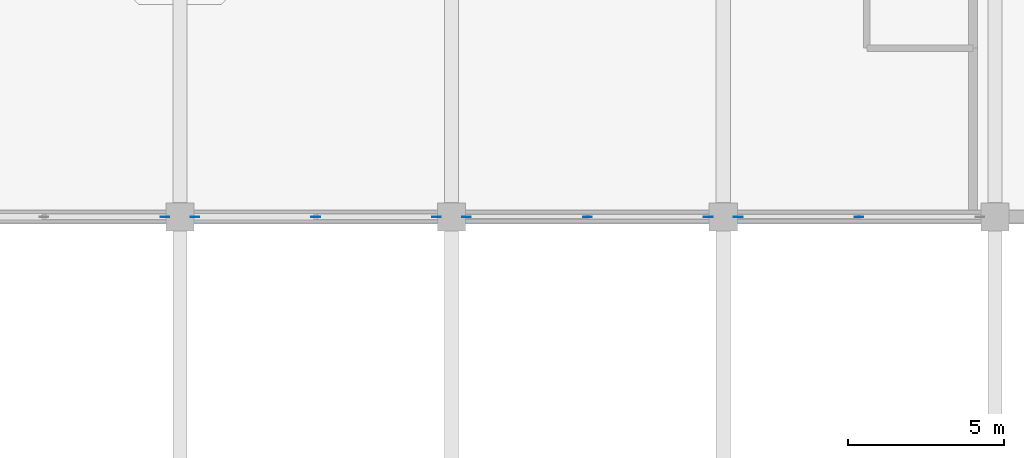
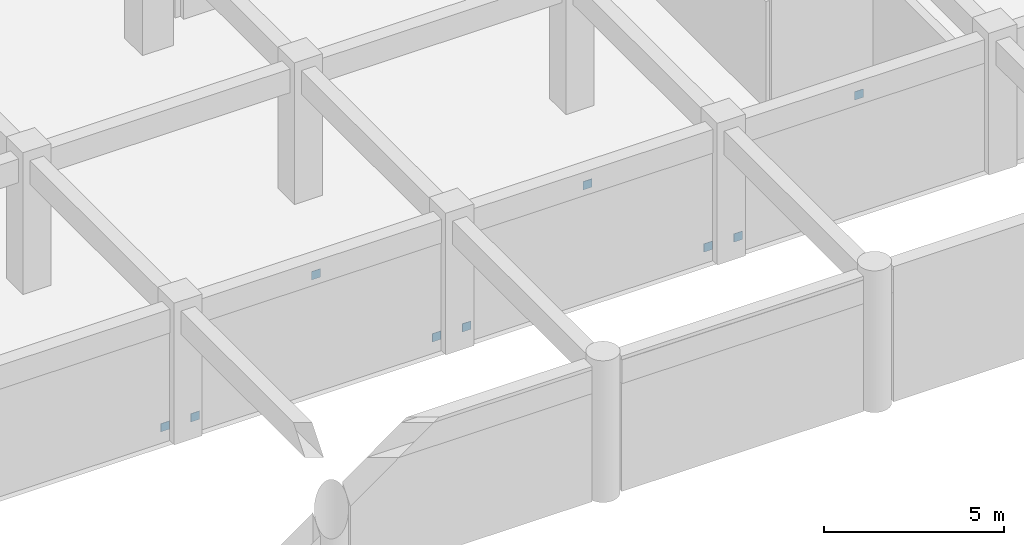
# One storey, part 8 of 19: 9 plates.
"""IFC4 building model written with IfcOpenShell, lengths in metres."""

from ifc_helpers import new_model, si_unit, derived_unit, direction, frame, origin, origin_2d, place, context, subcontext, project, spatial, rectangle, extrude, material, layer, layer_set, type_object, element, save


model = new_model("IFC4")

# Units and contexts
model_context = context("Model", 3, precision=1e-05, world=origin(), true_north=direction((0.0, 1.0)))
body_context = subcontext(model_context, "Body", "Model", "MODEL_VIEW")
ifc_project = project(units=[si_unit("LENGTHUNIT", "METRE"), si_unit("AREAUNIT", "SQUARE_METRE"), si_unit("VOLUMEUNIT", "CUBIC_METRE"), si_unit("PLANEANGLEUNIT", "RADIAN"), si_unit("MASSUNIT", "GRAM", prefix="KILO"), derived_unit("THERMALTRANSMITTANCEUNIT", [(si_unit("MASSUNIT", "GRAM", prefix="KILO"), 1), (si_unit("TIMEUNIT", "SECOND"), -3), (si_unit("THERMODYNAMICTEMPERATUREUNIT", "KELVIN"), -1)])], contexts=[model_context])

# Site, building, storey
site_placement = place(None, origin())
site = spatial("IfcSite", under=ifc_project, at=site_placement, CompositionType="ELEMENT")
building_placement = place(site_placement, origin())
building = spatial("IfcBuilding", under=site, at=building_placement, Name="Qinzheling Arcade Emporium", CompositionType="ELEMENT")
storey_placement = place(building_placement, frame((0.0, 0.0, -4.800048828125)))
storey = spatial("IfcBuildingStorey", under=building, at=storey_placement, Name="B1", CompositionType="ELEMENT", Elevation=-4.800048828125)

# Plates
ifc_material = material(Name="Structural steel Q355B", Category="steel")
ifc_layer = layer(ifc_material, 0.01611328125, Name="Structural steel Q355B", Category="steel")
ifc_layer_set = layer_set([ifc_layer], Name="Structural steel Q355B")
plate_type = type_object("IfcPlateType", Name="Structural Steel Brace Gusset Plate 16mm Q355B", PredefinedType="SHEET", material=ifc_layer_set)
for number, where, z_axis, x_axis, name in (
    (1, (34.320068359375, 8.39990234375, 0.22998046875), (0.0, 0.0, 1.0), (1.0, 0.0, 0.0), "Brace Gusset Plate PLT-GP-B1-020"),
    (2, (35.280029296875, 8.39990234375, 0.22998046875), (0.0, 0.0, 1.0), (1.0, 0.0, 0.0), "Brace Gusset Plate PLT-GP-B1-022"),
    (3, (43.02001953125, 8.39990234375, 0.22998046875), (0.0, 0.0, 1.0), (1.0, 0.0, 0.0), "Brace Gusset Plate PLT-GP-B1-023"),
    (4, (39.14990234375, 8.39990234375, 3.68994140625), (0.0, 0.0, 1.0), (1.0, 0.0, 0.0), "Brace Gusset Plate PLT-GP-B1-024"),
    (5, (43.97998046875, 8.39990234375, 0.22998046875), (0.0, 0.0, 1.0), (1.0, 0.0, 0.0), "Brace Gusset Plate PLT-GP-B1-028"),
    (6, (51.719970703125, 8.39990234375, 0.22998046875), (0.0, 0.0, 1.0), (1.0, 0.0, 0.0), "Brace Gusset Plate PLT-GP-B1-029"),
    (7, (47.85009765625, 8.39990234375, 3.68994140625), (0.0, 0.0, 1.0), (1.0, 0.0, 0.0), "Brace Gusset Plate PLT-GP-B1-030"),
    (8, (52.679931640625, 8.39990234375, 0.22998046875), (0.0, 0.0, 1.0), (1.0, 0.0, 0.0), "Brace Gusset Plate PLT-GP-B1-034"),
    (9, (56.550048828125, 8.39990234375, 3.68994140625), (0.0, 0.0, 1.0), (1.0, 0.0, 0.0), "Brace Gusset Plate PLT-GP-B1-036"),
):
    element("IfcPlate", number, at=place(storey_placement, frame(where, z_axis=z_axis, x_axis=x_axis)), inside=storey, type_object=plate_type, Name=name, PredefinedType="SHEET", context=body_context, shape_type="SweptSolid", body=[
        extrude(rectangle(XDim=0.280029296875, YDim=0.01611328125, at=origin_2d()), origin(), (0.0, 0.0, 1.0), 0.280029296875),
    ])

save(model, "model.ifc")
